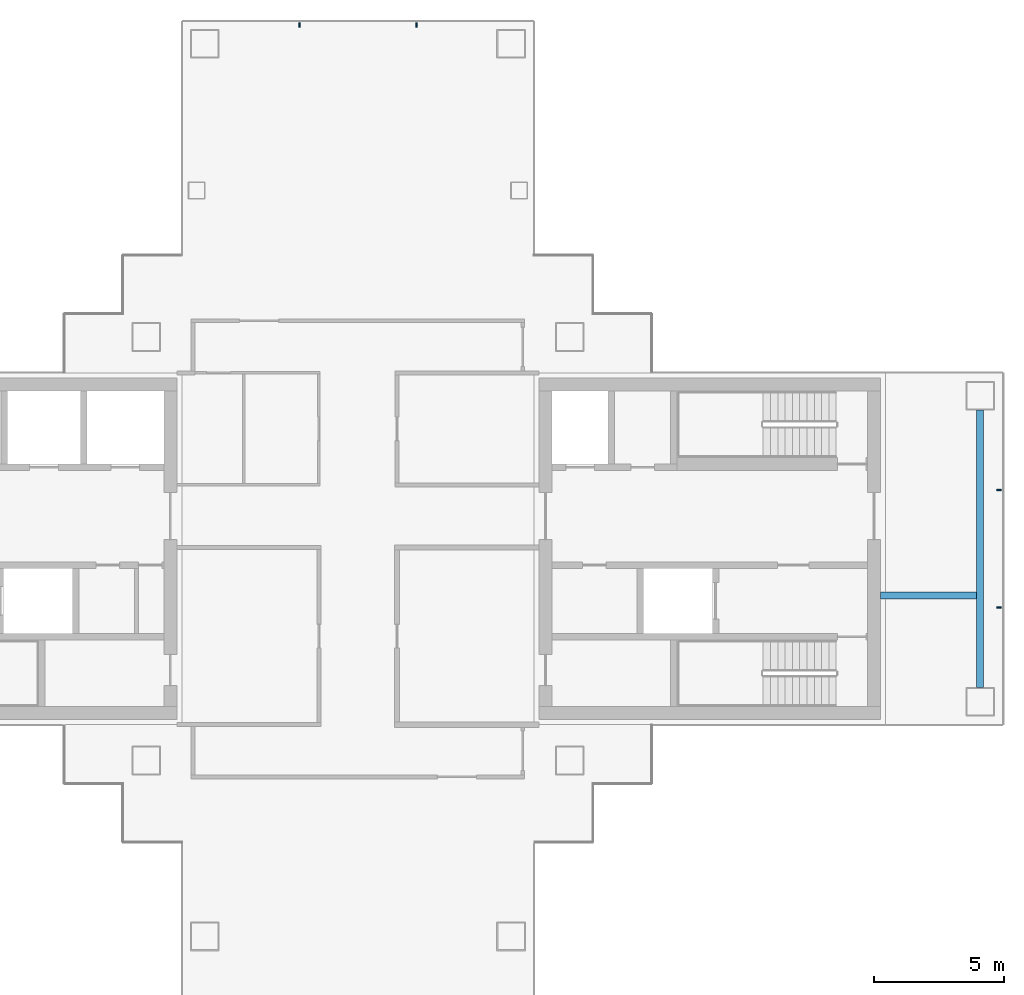
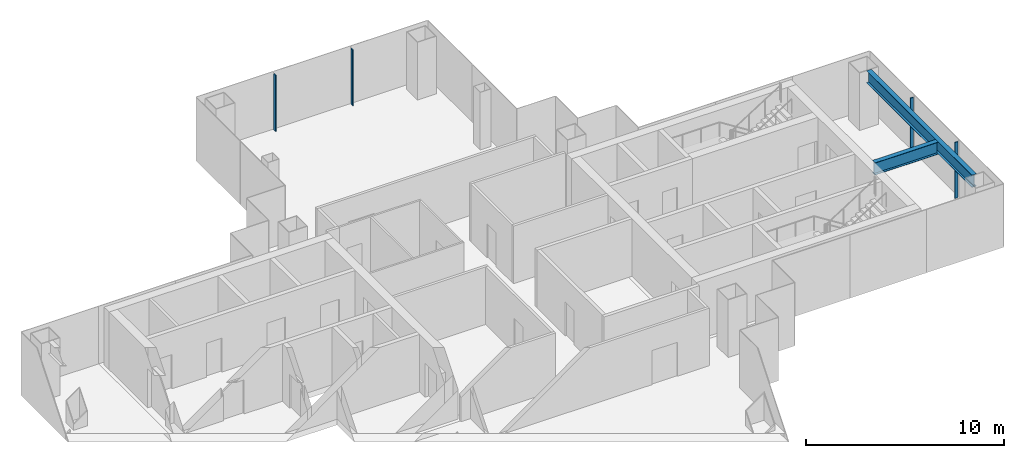
# One storey, part 6 of 16: 4 members, 2 beams, 2 elements without a shape of their own.
"""IFC4 building model written with IfcOpenShell, lengths in metres."""

from ifc_helpers import new_model, si_unit, direction, frame, origin, origin_2d, place, context, subcontext, project, spatial, rectangle, i_section, extrude, material, layer, layer_set, material_profile, profile_set, type_object, element, aggregate, save


model = new_model("IFC4")

# Units and contexts
model_context = context("Model", 3, precision=1e-05, world=origin(), true_north=direction((0.0, 1.0)))
body_context = subcontext(model_context, "Body", "Model", "MODEL_VIEW")
ifc_project = project(units=[si_unit("LENGTHUNIT", "METRE"), si_unit("AREAUNIT", "SQUARE_METRE"), si_unit("VOLUMEUNIT", "CUBIC_METRE"), si_unit("PLANEANGLEUNIT", "RADIAN"), si_unit("MASSUNIT", "GRAM", prefix="KILO")], contexts=[model_context])

# Site, building, storey
site_placement = place(None, origin())
site = spatial("IfcSite", under=ifc_project, at=site_placement, CompositionType="ELEMENT")
building_placement = place(site_placement, origin())
building = spatial("IfcBuilding", under=site, at=building_placement, Name="Shamsa Quay Exchange Towers", CompositionType="ELEMENT")
storey_placement = place(building_placement, frame((0.0, 0.0, 142.800048828125)))
storey = spatial("IfcBuildingStorey", under=building, at=storey_placement, Name="L33", CompositionType="ELEMENT", Elevation=142.800048828125)

# Curtain wall, members
ifc_material_1 = material(Name="Aluminium EN AW-6063 T6, black anodised", Category="aluminium")
ifc_layer = layer(ifc_material_1, 0.280029296875)
ifc_layer_set = layer_set([ifc_layer], Name="CW-1 UNITISED VISION GLASS")
curtain_wall_type = type_object("IfcCurtainWallType", Name="CW-1 UNITISED VISION GLASS", PredefinedType="NOTDEFINED", material=ifc_layer_set)
curtain_wall_1_placement = place(storey_placement, origin())
curtain_wall_1 = element("IfcCurtainWall", 1, at=curtain_wall_1_placement, inside=storey, type_object=curtain_wall_type, Name="CW1 T2-END-V- L33", PredefinedType="NOTDEFINED")
ifc_material_profile_1 = material_profile(ifc_material_1, rectangle(XDim=0.179931640625, YDim=0.06005859375, at=origin_2d()), Name="MU60x180")
ifc_profile_set_1 = profile_set([ifc_material_profile_1], Name="Aluminium EN AW-6063 T6, black anodised")
member_type = type_object("IfcMemberType", Name="CW1 MULLION 60x180", PredefinedType="MULLION", material=ifc_profile_set_1)
member_1_placement = place(storey_placement, frame((58.35009765625, -2.25, 0.0), z_axis=(0.0, 0.0, 1.0), x_axis=(-1.0, 0.0, 0.0)))
member_1 = element("IfcMember", 2, at=member_1_placement, type_object=member_type, Name="CW1 mullion", PredefinedType="MULLION", context=body_context, shape_type="SweptSolid", body=[
    extrude(rectangle(XDim=0.179931640625, YDim=0.06005859375, at=origin_2d()), origin(), (0.0, 0.0, 1.0), 3.449951171875),
])
member_2_placement = place(storey_placement, frame((58.35009765625, 2.25, 0.0), z_axis=(0.0, 0.0, 1.0), x_axis=(-1.0, 0.0, 0.0)))
member_2 = element("IfcMember", 3, at=member_2_placement, type_object=member_type, Name="CW1 mullion", PredefinedType="MULLION", context=body_context, shape_type="SweptSolid", body=[
    extrude(rectangle(XDim=0.179931640625, YDim=0.06005859375, at=origin_2d()), origin(), (0.0, 0.0, 1.0), 3.449951171875),
])
aggregate(curtain_wall_1, [member_1, member_2])

curtain_wall_2_placement = place(storey_placement, origin())
curtain_wall_2 = element("IfcCurtainWall", 4, at=curtain_wall_2_placement, inside=storey, type_object=curtain_wall_type, Name="CW1 T2-END-U+ L33", PredefinedType="NOTDEFINED")
member_3_placement = place(storey_placement, frame((36.0, 20.10009765625, 0.0), z_axis=(0.0, 0.0, 1.0), x_axis=(0.0, -1.0, 0.0)))
member_3 = element("IfcMember", 5, at=member_3_placement, type_object=member_type, Name="CW1 mullion", PredefinedType="MULLION", context=body_context, shape_type="SweptSolid", body=[
    extrude(rectangle(XDim=0.179931640625, YDim=0.06005859375, at=origin_2d()), origin(), (0.0, 0.0, 1.0), 3.449951171875),
])
member_4_placement = place(storey_placement, frame((31.5, 20.10009765625, 0.0), z_axis=(0.0, 0.0, 1.0), x_axis=(0.0, -1.0, 0.0)))
member_4 = element("IfcMember", 6, at=member_4_placement, type_object=member_type, Name="CW1 mullion", PredefinedType="MULLION", context=body_context, shape_type="SweptSolid", body=[
    extrude(rectangle(XDim=0.179931640625, YDim=0.06005859375, at=origin_2d()), origin(), (0.0, 0.0, 1.0), 3.449951171875),
])
aggregate(curtain_wall_2, [member_3, member_4])

# Beams
ifc_material_2 = material(Name="Steel S355", Category="steel")
ifc_material_profile_2 = material_profile(ifc_material_2, i_section(OverallWidth=0.26611328125, OverallDepth=0.7578125, WebThickness=0.013916015625, FlangeThickness=0.019287109375, at=origin_2d()), Name="W30x108")
ifc_profile_set_2 = profile_set([ifc_material_profile_2], Name="Steel S355")
beam_type = type_object("IfcBeamType", Name="End-zone beam W30x108", PredefinedType="BEAM", material=ifc_profile_set_2)
beam_1_placement = place(storey_placement, frame((57.625, -5.324951171875, 3.171142578125), z_axis=(0.0, 1.0, 0.0), x_axis=(-1.0, 0.0, 0.0)))
element("IfcBeam", 7, at=beam_1_placement, inside=storey, type_object=beam_type, Name="End beam T2 V- end zone L33", PredefinedType="BEAM", context=body_context, shape_type="SweptSolid", body=[
    extrude(i_section(OverallWidth=0.26611328125, OverallDepth=0.7578125, WebThickness=0.013916015625, FlangeThickness=0.019287109375, at=origin_2d()), origin(), (0.0, 0.0, 1.0), 10.64990234375),
])
beam_2_placement = place(storey_placement, frame((53.800048828125, -1.800048828125, 3.171142578125), z_axis=(1.0, 0.0, 0.0), x_axis=(0.0, 1.0, 0.0)))
element("IfcBeam", 8, at=beam_2_placement, inside=storey, type_object=beam_type, Name="Spine beam T2 V- end zone L33", PredefinedType="BEAM", context=body_context, shape_type="SweptSolid", body=[
    extrude(i_section(OverallWidth=0.26611328125, OverallDepth=0.7578125, WebThickness=0.013916015625, FlangeThickness=0.019287109375, at=origin_2d()), origin(), (0.0, 0.0, 1.0), 3.69189453125),
])

save(model, "model.ifc")
